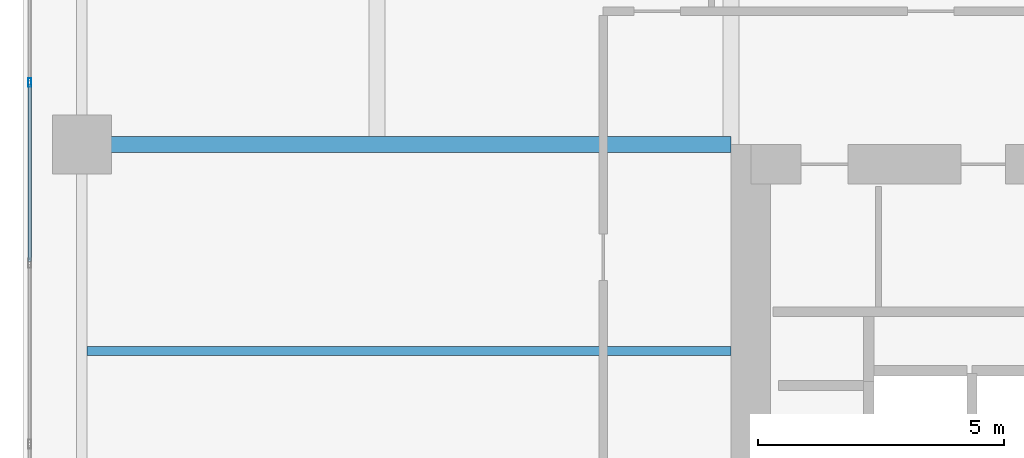
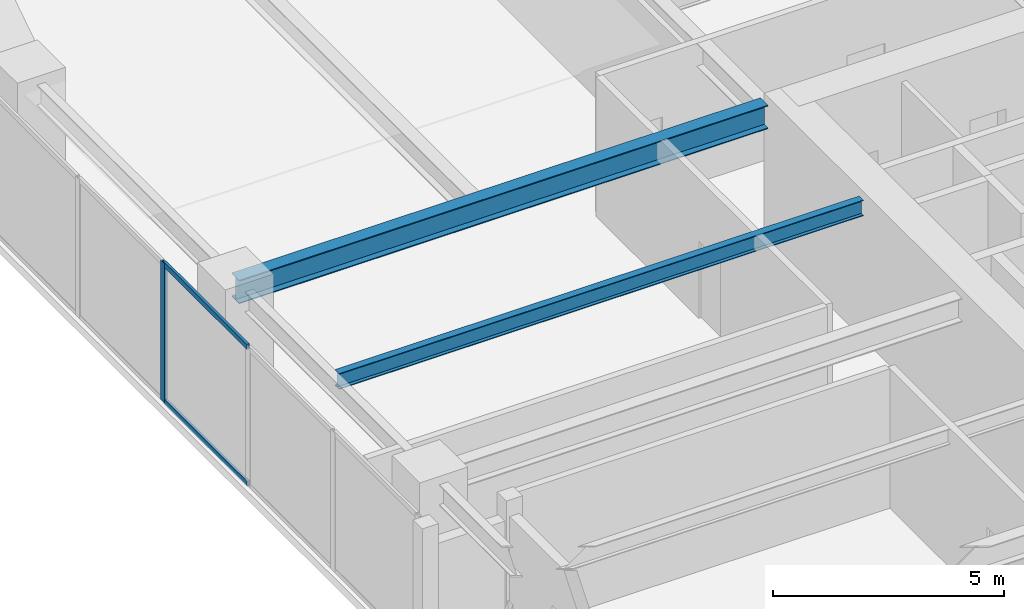
# One storey, part 6 of 30: 3 members, 2 beams, 1 element without a shape of its own.
"""IFC4 building model written with IfcOpenShell, lengths in metres."""

from ifc_helpers import new_model, si_unit, direction, frame, origin, origin_2d, place, context, subcontext, project, spatial, hollow_rectangle, i_section, extrude, material, layer, layer_set, material_profile, profile_set, type_object, element, aggregate, save


model = new_model("IFC4")

# Units and contexts
model_context = context("Model", 3, precision=1e-05, world=origin(), true_north=direction((0.0, 1.0)))
body_context = subcontext(model_context, "Body", "Model", "MODEL_VIEW")
ifc_project = project(units=[si_unit("LENGTHUNIT", "METRE"), si_unit("AREAUNIT", "SQUARE_METRE"), si_unit("VOLUMEUNIT", "CUBIC_METRE"), si_unit("PLANEANGLEUNIT", "RADIAN"), si_unit("MASSUNIT", "GRAM", prefix="KILO")], contexts=[model_context])

# Site, building, storey
site_placement = place(None, origin())
site = spatial("IfcSite", under=ifc_project, at=site_placement, CompositionType="ELEMENT")
building_placement = place(site_placement, origin())
building = spatial("IfcBuilding", under=site, at=building_placement, Name="Kiyonajd Concourse Tower", CompositionType="ELEMENT")
storey_placement = place(building_placement, frame((0.0, 0.0, 170.10009765625)))
storey = spatial("IfcBuildingStorey", under=building, at=storey_placement, Name="L43", CompositionType="ELEMENT", Elevation=170.10009765625)

# Beams
ifc_material_1 = material(Name="Steel ASTM A992 Grade 50", Category="steel")
ifc_material_profile_1 = material_profile(ifc_material_1, i_section(OverallWidth=0.180908203125, OverallDepth=0.4169921875, WebThickness=0.010986328125, FlangeThickness=0.018310546875, at=origin_2d()), Name="W410X85")
ifc_profile_set_1 = profile_set([ifc_material_profile_1], Name="Steel ASTM A992 Grade 50")
beam_type_1 = type_object("IfcBeamType", Name="BM-JST-410", PredefinedType="JOIST", material=ifc_profile_set_1)
beam_1_placement = place(storey_placement, frame((19.306884765625, 40.199951171875, 3.471435546875), z_axis=(1.0, 0.0, 0.0), x_axis=(0.0, 1.0, 0.0)))
element("IfcBeam", 1, at=beam_1_placement, inside=storey, type_object=beam_type_1, Name="L43 West Secondary Floor Joist", PredefinedType="JOIST", context=body_context, shape_type="SweptSolid", body=[
    extrude(i_section(OverallWidth=0.180908203125, OverallDepth=0.4169921875, WebThickness=0.010986328125, FlangeThickness=0.018310546875, at=origin_2d()), origin(), (0.0, 0.0, 1.0), 13.093017578125),
])
ifc_material_profile_2 = material_profile(ifc_material_1, i_section(OverallWidth=0.326904296875, OverallDepth=0.6220703125, WebThickness=0.015380859375, FlangeThickness=0.0244140625, at=origin_2d()), Name="W610X195")
ifc_profile_set_2 = profile_set([ifc_material_profile_2], Name="Steel ASTM A992 Grade 50")
beam_type_2 = type_object("IfcBeamType", Name="BM-TWR-610A", PredefinedType="BEAM", material=ifc_profile_set_2)
beam_2_placement = place(storey_placement, frame((19.199951171875, 44.39990234375, 3.368896484375), z_axis=(1.0, 0.0, 0.0), x_axis=(0.0, 1.0, 0.0)))
element("IfcBeam", 2, at=beam_2_placement, inside=storey, type_object=beam_type_2, Name="L43 West Lease Girder", PredefinedType="BEAM", context=body_context, shape_type="SweptSolid", body=[
    extrude(i_section(OverallWidth=0.326904296875, OverallDepth=0.6220703125, WebThickness=0.015380859375, FlangeThickness=0.0244140625, at=origin_2d()), origin(), (0.0, 0.0, 1.0), 13.199951171875),
])

# Curtain wall, members
ifc_material_2 = material(Name="Thermally Broken Anodised Aluminium", Category="aluminium")
ifc_layer = layer(ifc_material_2, 0.179931640625)
ifc_layer_set = layer_set([ifc_layer], Name="Thermally Broken Anodised Aluminium")
curtain_wall_type = type_object("IfcCurtainWallType", Name="CW-SYS-03", PredefinedType="NOTDEFINED", material=ifc_layer_set)
curtain_wall_placement = place(storey_placement, origin())
curtain_wall = element("IfcCurtainWall", 3, at=curtain_wall_placement, inside=storey, type_object=curtain_wall_type, Name="L43 Unitised Curtain Wall CW3", PredefinedType="NOTDEFINED")
ifc_material_profile_3 = material_profile(ifc_material_2, hollow_rectangle(XDim=0.06494140625, YDim=0.179931640625, WallThickness=0.00390625, at=origin_2d()), Name="MULL-65x180")
ifc_profile_set_3 = profile_set([ifc_material_profile_3], Name="Thermally Broken Anodised Aluminium")
member_type_1 = type_object("IfcMemberType", Name="MB-CW-MULL1", PredefinedType="MULLION", material=ifc_profile_set_3)
member_1_placement = place(storey_placement, frame((18.139892578125, 45.660888671875, 0.0), z_axis=(0.0, 0.0, 1.0), x_axis=(-1.0, 0.0, 0.0)))
member_1 = element("IfcMember", 4, at=member_1_placement, type_object=member_type_1, Name="CW3 mullion 4", PredefinedType="MULLION", context=body_context, shape_type="SweptSolid", body=[
    extrude(hollow_rectangle(XDim=0.06494140625, YDim=0.179931640625, WallThickness=0.00390625, at=origin_2d()), origin(), (0.0, 0.0, 1.0), 3.679931640625),
])
ifc_material_profile_4 = material_profile(ifc_material_2, hollow_rectangle(XDim=0.06494140625, YDim=0.139892578125, WallThickness=0.00390625, at=origin_2d()), Name="TRAN-65x140")
ifc_profile_set_4 = profile_set([ifc_material_profile_4], Name="Thermally Broken Anodised Aluminium")
member_type_2 = type_object("IfcMemberType", Name="MB-CW-TRAN1", PredefinedType="USERDEFINED", material=ifc_profile_set_4)
member_2_placement = place(storey_placement, frame((18.139892578125, 42.016357421875, 0.032470703125), z_axis=(0.0, 1.0, 0.0), x_axis=(-1.0, 0.0, 0.0)))
member_2 = element("IfcMember", 5, at=member_2_placement, type_object=member_type_2, Name="CW3 transom 3.1", ObjectType="TRANSOM", PredefinedType="USERDEFINED", context=body_context, shape_type="SweptSolid", body=[
    extrude(hollow_rectangle(XDim=0.06494140625, YDim=0.139892578125, WallThickness=0.00390625, at=origin_2d()), origin(), (0.0, 0.0, 1.0), 3.612060546875),
])
member_3_placement = place(storey_placement, frame((18.139892578125, 42.016357421875, 3.6474609375), z_axis=(0.0, 1.0, 0.0), x_axis=(-1.0, 0.0, 0.0)))
member_3 = element("IfcMember", 6, at=member_3_placement, type_object=member_type_2, Name="CW3 transom 3.2", ObjectType="TRANSOM", PredefinedType="USERDEFINED", context=body_context, shape_type="SweptSolid", body=[
    extrude(hollow_rectangle(XDim=0.06494140625, YDim=0.139892578125, WallThickness=0.00390625, at=origin_2d()), origin(), (0.0, 0.0, 1.0), 3.612060546875),
])
aggregate(curtain_wall, [member_1, member_2, member_3])

save(model, "model.ifc")
